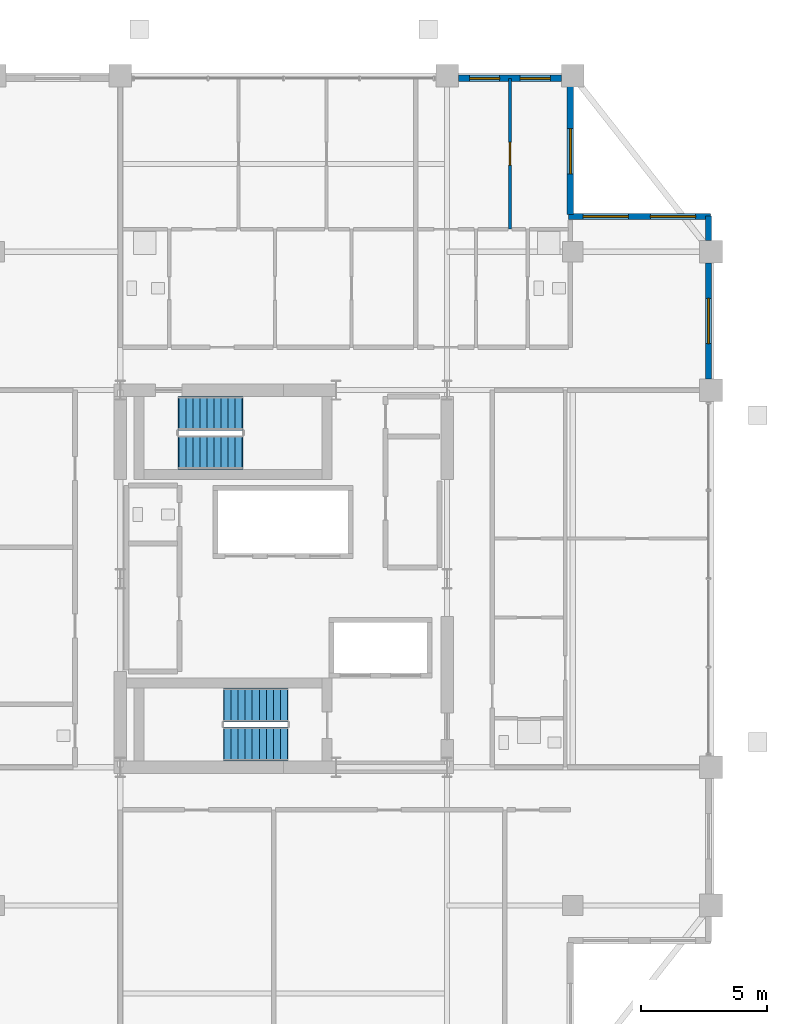
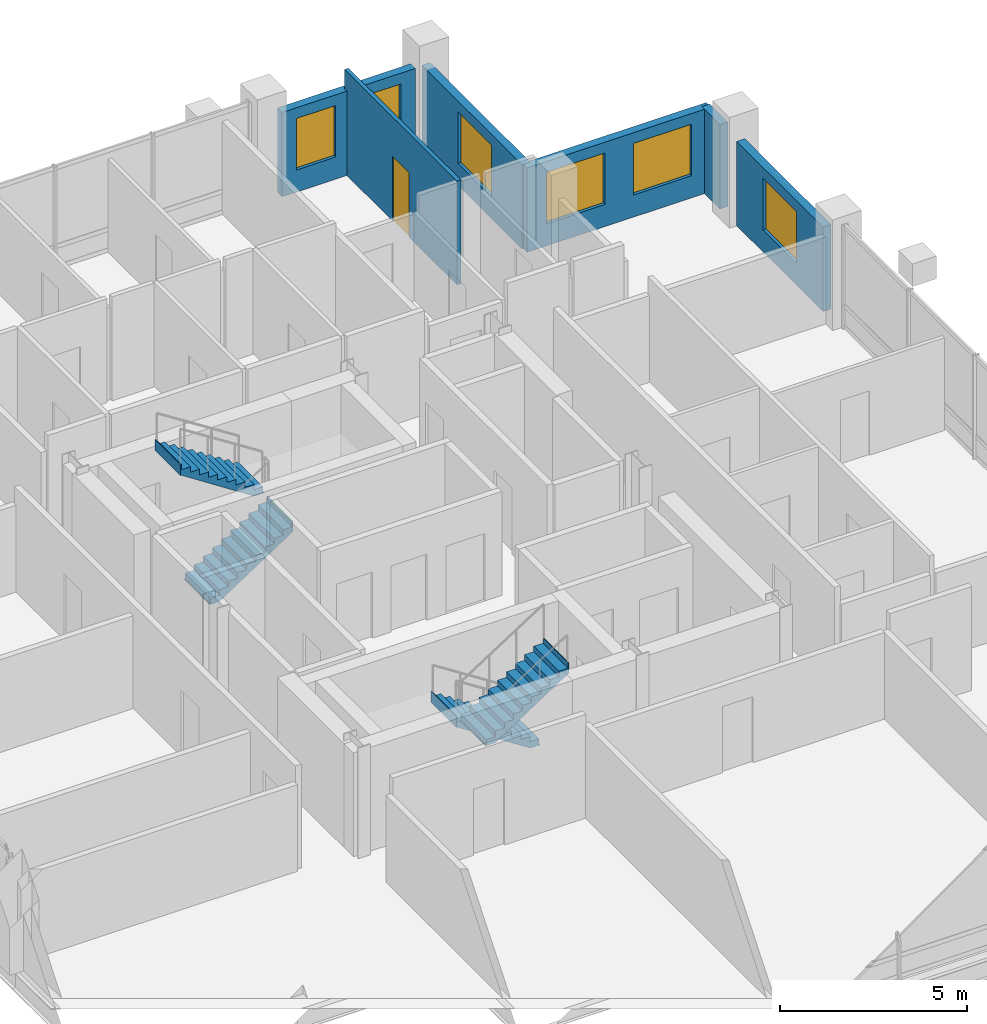
# One storey, part 19 of 21: 6 walls, 6 windows, 4 stair flights, 1 door, 7 openings, 2 elements without a shape of their own.
"""IFC4 building model written with IfcOpenShell, lengths in metres."""

from ifc_helpers import new_model, si_unit, direction, frame, frame_2d, origin, place, context, subcontext, project, spatial, polyline, rectangle, outline, extrude, material, layer, layer_set, type_object, element, fill, aggregate, save


model = new_model("IFC4")

# Units and contexts
model_context = context("Model", 3, precision=1e-05, world=origin(), true_north=direction((0.0, 1.0)))
body_context = subcontext(model_context, "Body", "Model", "MODEL_VIEW")
ifc_project = project(units=[si_unit("LENGTHUNIT", "METRE"), si_unit("AREAUNIT", "SQUARE_METRE"), si_unit("VOLUMEUNIT", "CUBIC_METRE"), si_unit("PLANEANGLEUNIT", "RADIAN"), si_unit("MASSUNIT", "GRAM", prefix="KILO")], contexts=[model_context])

# Site, building, storey
site_placement = place(None, origin())
site = spatial("IfcSite", under=ifc_project, at=site_placement, CompositionType="ELEMENT")
building_placement = place(site_placement, origin())
building = spatial("IfcBuilding", under=site, at=building_placement, Name="Barlavira Tower and Art Museum", CompositionType="ELEMENT")
storey_placement = place(building_placement, frame((0.0, 0.0, 276.300048828125)))
storey = spatial("IfcBuildingStorey", under=building, at=storey_placement, Name="L72", CompositionType="ELEMENT", Elevation=276.300048828125)

# Wall, opening, door
ifc_material_1 = material(Name="Gypsum acoustic stud partition", Category="gypsum")
ifc_layer_1 = layer(ifc_material_1, 0.1201171875, Name="Gypsum acoustic stud partition")
ifc_layer_set_1 = layer_set([ifc_layer_1], Name="Gypsum acoustic stud partition")
wall_type_1 = type_object("IfcWallType", Name="Apartment Internal Acoustic Partition 120", PredefinedType="PARTITIONING", material=ifc_layer_set_1)
wall_1_placement = place(storey_placement, frame((9.0, 13.89990234375, 0.0), z_axis=(0.0, 0.0, 1.0), x_axis=(0.0, 1.0, 0.0)))
wall_1 = element("IfcWall", 1, at=wall_1_placement, inside=storey, type_object=wall_type_1, Name="L72 Partition Wall 18", PredefinedType="PARTITIONING", context=body_context, shape_type="SweptSolid", body=[
    extrude(rectangle(XDim=6.0, YDim=0.1201171875, at=frame_2d((3.0, 0.0))), origin(), (0.0, 0.0, 1.0), 3.3798828125),
])
opening_1_placement = place(wall_1_placement, frame((2.550048828125, 0.0, 0.0)))
opening_1 = element("IfcOpeningElement", 2, at=opening_1_placement, cuts=wall_1, Name="Opening D-01", PredefinedType="OPENING", context=body_context, shape_type="SweptSolid", body=[
    extrude(rectangle(XDim=0.89990234375, YDim=2.10009765625, at=frame_2d((0.449951171875, 1.050048828125))), frame((0.0, 0.070068359375, 0.0), z_axis=(0.0, -1.0, 0.0), x_axis=(1.0, 0.0, 0.0)), (0.0, 0.0, 1.0), 0.14013671875),
])
ifc_material_2 = material(Name="Engineered coastal hardwood", Category="wood")
door_type = type_object("IfcDoorType", Name="Internal Bedroom Timber Flush Door 900x2100", OperationType="NOTDEFINED", PredefinedType="DOOR", material=ifc_material_2)
door_placement = place(opening_1_placement, origin())
door = element("IfcDoor", 3, at=door_placement, inside=storey, type_object=door_type, Name="Apartment N2 Bedroom 1 Door", OperationType="SINGLE_SWING_RIGHT", OverallHeight=2.10009765625, OverallWidth=0.89990234375, PredefinedType="DOOR", context=body_context, shape_type="SweptSolid", body=[
    extrude(rectangle(XDim=0.89990234375, YDim=2.10009765625, at=frame_2d((0.449951171875, 1.050048828125))), frame((0.0, 0.02490234375, 0.0), z_axis=(0.0, -1.0, 0.0), x_axis=(1.0, 0.0, 0.0)), (0.0, 0.0, 1.0), 0.050048828125),
])
fill(opening_1, door)

# Wall, openings, windows
ifc_material_3 = material(Name="Precast concrete C40", Category="concrete")
ifc_layer_2 = layer(ifc_material_3, 0.25, Name="Precast concrete C40")
ifc_layer_set_2 = layer_set([ifc_layer_2], Name="Precast concrete C40")
wall_type_2 = type_object("IfcWallType", Name="Notched Corner Spandrel Wall 250 Precast Concrete C40", PredefinedType="SOLIDWALL", material=ifc_layer_set_2)
wall_2_placement = place(storey_placement, frame((11.054931640625, 19.89990234375, 0.0), z_axis=(0.0, 0.0, 1.0), x_axis=(-1.0, 0.0, 0.0)))
wall_2 = element("IfcWall", 4, at=wall_2_placement, inside=storey, type_object=wall_type_2, Name="L72 Coastal Facade Pier Wall CW4-L72-N-1", PredefinedType="SOLIDWALL", context=body_context, shape_type="SweptSolid", body=[
    extrude(rectangle(XDim=4.10986328125, YDim=0.25, at=frame_2d((2.054931640625, 0.0))), origin(), (0.0, 0.0, 1.0), 2.748046875),
])
opening_2_placement = place(wall_2_placement, frame((0.449951171875, 0.0, 0.719970703125)))
opening_2 = element("IfcOpeningElement", 5, at=opening_2_placement, cuts=wall_2, Name="Opening WN-05", PredefinedType="OPENING", context=body_context, shape_type="SweptSolid", body=[
    extrude(rectangle(XDim=1.199951171875, YDim=1.679931640625, at=frame_2d((0.60009765625, 0.83984375))), frame((0.0, 0.135009765625, 0.0), z_axis=(0.0, -1.0, 0.0), x_axis=(1.0, 0.0, 0.0)), (0.0, 0.0, 1.0), 0.27001953125),
])
opening_3_placement = place(wall_2_placement, frame((2.4599609375, 0.0, 0.719970703125)))
opening_3 = element("IfcOpeningElement", 6, at=opening_3_placement, cuts=wall_2, Name="Opening WN-05", PredefinedType="OPENING", context=body_context, shape_type="SweptSolid", body=[
    extrude(rectangle(XDim=1.199951171875, YDim=1.679931640625, at=frame_2d((0.60009765625, 0.83984375))), frame((0.0, 0.135009765625, 0.0), z_axis=(0.0, -1.0, 0.0), x_axis=(1.0, 0.0, 0.0)), (0.0, 0.0, 1.0), 0.27001953125),
])
ifc_material_4 = material(Name="Low-iron coastal laminated glass", Category="glass")
window_type_1 = type_object("IfcWindowType", Name="Recessed Flank Pier Punch Window 1200x1680", PartitioningType="SINGLE_PANEL", PredefinedType="WINDOW", material=ifc_material_4)
window_1_placement = place(opening_2_placement, origin())
window_1 = element("IfcWindow", 7, at=window_1_placement, inside=storey, type_object=window_type_1, Name="L72 Punched Facade Window EWP-CW4-L72-N-1-1", OverallHeight=1.679931640625, OverallWidth=1.199951171875, PartitioningType="SINGLE_PANEL", PredefinedType="WINDOW", context=body_context, shape_type="SweptSolid", body=[
    extrude(rectangle(XDim=1.199951171875, YDim=1.679931640625, at=frame_2d((0.60009765625, 0.83984375))), frame((0.0, 0.030029296875, 0.0), z_axis=(0.0, -1.0, 0.0), x_axis=(1.0, 0.0, 0.0)), (0.0, 0.0, 1.0), 0.06005859375),
])
fill(opening_2, window_1)
window_2_placement = place(opening_3_placement, origin())
window_2 = element("IfcWindow", 8, at=window_2_placement, inside=storey, type_object=window_type_1, Name="L72 Punched Facade Window EWP-CW4-L72-N-1-2", OverallHeight=1.679931640625, OverallWidth=1.199951171875, PartitioningType="SINGLE_PANEL", PredefinedType="WINDOW", context=body_context, shape_type="SweptSolid", body=[
    extrude(rectangle(XDim=1.199951171875, YDim=1.679931640625, at=frame_2d((0.60009765625, 0.83984375))), frame((0.0, 0.030029296875, 0.0), z_axis=(0.0, -1.0, 0.0), x_axis=(1.0, 0.0, 0.0)), (0.0, 0.0, 1.0), 0.06005859375),
])
fill(opening_3, window_2)

# Wall, opening, window
wall_3_placement = place(storey_placement, frame((16.89990234375, 7.945068359375, 0.0), z_axis=(0.0, 0.0, 1.0), x_axis=(0.0, 1.0, 0.0)))
wall_3 = element("IfcWall", 9, at=wall_3_placement, inside=storey, type_object=wall_type_2, Name="L72 Coastal Facade Pier Wall CW4-L72-E-4", PredefinedType="SOLIDWALL", context=body_context, shape_type="SweptSolid", body=[
    extrude(rectangle(XDim=4.60986328125, YDim=0.25, at=frame_2d((2.304931640625, 0.0))), origin(), (0.0, 0.0, 1.0), 2.748046875),
])
opening_4_placement = place(wall_3_placement, frame((1.405029296875, 0.0, 0.719970703125)))
opening_4 = element("IfcOpeningElement", 10, at=opening_4_placement, cuts=wall_3, Name="Opening WN-01", PredefinedType="OPENING", context=body_context, shape_type="SweptSolid", body=[
    extrude(rectangle(XDim=1.800048828125, YDim=1.679931640625, at=frame_2d((0.89990234375, 0.83984375))), frame((0.0, 0.135009765625, 0.0), z_axis=(0.0, -1.0, 0.0), x_axis=(1.0, 0.0, 0.0)), (0.0, 0.0, 1.0), 0.27001953125),
])
window_type_2 = type_object("IfcWindowType", Name="Recessed Notch Corner Punch Window 1800x1680", PartitioningType="SINGLE_PANEL", PredefinedType="WINDOW", material=ifc_material_4)
window_3_placement = place(opening_4_placement, origin())
window_3 = element("IfcWindow", 11, at=window_3_placement, inside=storey, type_object=window_type_2, Name="L72 Punched Facade Window EWP-CW4-L72-E-4-1", OverallHeight=1.679931640625, OverallWidth=1.800048828125, PartitioningType="SINGLE_PANEL", PredefinedType="WINDOW", context=body_context, shape_type="SweptSolid", body=[
    extrude(rectangle(XDim=1.800048828125, YDim=1.679931640625, at=frame_2d((0.89990234375, 0.83984375))), frame((0.0, 0.030029296875, 0.0), z_axis=(0.0, -1.0, 0.0), x_axis=(1.0, 0.0, 0.0)), (0.0, 0.0, 1.0), 0.06005859375),
])
fill(opening_4, window_3)

# Wall
wall_4_placement = place(storey_placement, frame((16.89990234375, 13.445068359375, 0.0), z_axis=(0.0, 0.0, 1.0), x_axis=(0.0, 1.0, 0.0)))
element("IfcWall", 12, at=wall_4_placement, inside=storey, type_object=wall_type_2, Name="L72 Coastal Facade Pier Wall CW4-L72-E-5", PredefinedType="SOLIDWALL", context=body_context, shape_type="SweptSolid", body=[
    extrude(rectangle(XDim=0.97998046875, YDim=0.25, at=frame_2d((0.489990234375, 0.0))), origin(), (0.0, 0.0, 1.0), 2.748046875),
])

# Wall, openings, windows
wall_5_placement = place(storey_placement, frame((16.97998046875, 14.39990234375, 0.0), z_axis=(0.0, 0.0, 1.0), x_axis=(-1.0, 0.0, 0.0)))
wall_5 = element("IfcWall", 13, at=wall_5_placement, inside=storey, type_object=wall_type_2, Name="L72 Notch Corner Wall NE1", PredefinedType="SOLIDWALL", context=body_context, shape_type="SweptSolid", body=[
    extrude(rectangle(XDim=5.659912109375, YDim=0.25, at=frame_2d((2.830078125, 0.0))), origin(), (0.0, 0.0, 1.0), 2.748046875),
])
opening_5_placement = place(wall_5_placement, frame((0.594970703125, 0.0, 0.719970703125)))
opening_5 = element("IfcOpeningElement", 14, at=opening_5_placement, cuts=wall_5, Name="Opening WN-01", PredefinedType="OPENING", context=body_context, shape_type="SweptSolid", body=[
    extrude(rectangle(XDim=1.800048828125, YDim=1.679931640625, at=frame_2d((0.89990234375, 0.83984375))), frame((0.0, 0.135009765625, 0.0), z_axis=(0.0, -1.0, 0.0), x_axis=(1.0, 0.0, 0.0)), (0.0, 0.0, 1.0), 0.27001953125),
])
opening_6_placement = place(wall_5_placement, frame((3.264892578125, 0.0, 0.719970703125)))
opening_6 = element("IfcOpeningElement", 15, at=opening_6_placement, cuts=wall_5, Name="Opening WN-01", PredefinedType="OPENING", context=body_context, shape_type="SweptSolid", body=[
    extrude(rectangle(XDim=1.800048828125, YDim=1.679931640625, at=frame_2d((0.89990234375, 0.83984375))), frame((0.0, 0.135009765625, 0.0), z_axis=(0.0, -1.0, 0.0), x_axis=(1.0, 0.0, 0.0)), (0.0, 0.0, 1.0), 0.27001953125),
])
window_4_placement = place(opening_5_placement, origin())
window_4 = element("IfcWindow", 16, at=window_4_placement, inside=storey, type_object=window_type_2, Name="L72 Punched Facade Window EW-NTC-L72-NE1-1", OverallHeight=1.679931640625, OverallWidth=1.800048828125, PartitioningType="SINGLE_PANEL", PredefinedType="WINDOW", context=body_context, shape_type="SweptSolid", body=[
    extrude(rectangle(XDim=1.800048828125, YDim=1.679931640625, at=frame_2d((0.89990234375, 0.83984375))), frame((0.0, 0.030029296875, 0.0), z_axis=(0.0, -1.0, 0.0), x_axis=(1.0, 0.0, 0.0)), (0.0, 0.0, 1.0), 0.06005859375),
])
fill(opening_5, window_4)
window_5_placement = place(opening_6_placement, origin())
window_5 = element("IfcWindow", 17, at=window_5_placement, inside=storey, type_object=window_type_2, Name="L72 Punched Facade Window EW-NTC-L72-NE1-2", OverallHeight=1.679931640625, OverallWidth=1.800048828125, PartitioningType="SINGLE_PANEL", PredefinedType="WINDOW", context=body_context, shape_type="SweptSolid", body=[
    extrude(rectangle(XDim=1.800048828125, YDim=1.679931640625, at=frame_2d((0.89990234375, 0.83984375))), frame((0.0, 0.030029296875, 0.0), z_axis=(0.0, -1.0, 0.0), x_axis=(1.0, 0.0, 0.0)), (0.0, 0.0, 1.0), 0.06005859375),
])
fill(opening_6, window_5)

# Wall, opening, window
wall_6_placement = place(storey_placement, frame((11.39990234375, 14.47998046875, 0.0), z_axis=(0.0, 0.0, 1.0), x_axis=(0.0, 1.0, 0.0)))
wall_6 = element("IfcWall", 18, at=wall_6_placement, inside=storey, type_object=wall_type_2, Name="L72 Notch Corner Wall NE2", PredefinedType="SOLIDWALL", context=body_context, shape_type="SweptSolid", body=[
    extrude(rectangle(XDim=5.340087890625, YDim=0.25, at=frame_2d((2.669921875, 0.0))), origin(), (0.0, 0.0, 1.0), 2.748046875),
])
opening_7_placement = place(wall_6_placement, frame((1.614990234375, 0.0, 0.719970703125)))
opening_7 = element("IfcOpeningElement", 19, at=opening_7_placement, cuts=wall_6, Name="Opening WN-01", PredefinedType="OPENING", context=body_context, shape_type="SweptSolid", body=[
    extrude(rectangle(XDim=1.800048828125, YDim=1.679931640625, at=frame_2d((0.89990234375, 0.83984375))), frame((0.0, 0.135009765625, 0.0), z_axis=(0.0, -1.0, 0.0), x_axis=(1.0, 0.0, 0.0)), (0.0, 0.0, 1.0), 0.27001953125),
])
window_6_placement = place(opening_7_placement, origin())
window_6 = element("IfcWindow", 20, at=window_6_placement, inside=storey, type_object=window_type_2, Name="L72 Punched Facade Window EW-NTC-L72-NE2-1", OverallHeight=1.679931640625, OverallWidth=1.800048828125, PartitioningType="SINGLE_PANEL", PredefinedType="WINDOW", context=body_context, shape_type="SweptSolid", body=[
    extrude(rectangle(XDim=1.800048828125, YDim=1.679931640625, at=frame_2d((0.89990234375, 0.83984375))), frame((0.0, 0.030029296875, 0.0), z_axis=(0.0, -1.0, 0.0), x_axis=(1.0, 0.0, 0.0)), (0.0, 0.0, 1.0), 0.06005859375),
])
fill(opening_7, window_6)

# Stair, stair flights
ifc_material_5 = material(Name="Concrete C45", Category="concrete")
stair_type_1 = type_object("IfcStairType", Name="Tower North Dog-Leg Exit Stair Assembly Concrete C45", PredefinedType="TWO_QUARTER_TURN_STAIR", material=ifc_material_5)
stair_1_placement = place(storey_placement, origin())
stair_1 = element("IfcStair", 21, at=stair_1_placement, inside=storey, type_object=stair_type_1, Name="L72 Tower North Exit Stair ST-T2", PredefinedType="TWO_QUARTER_TURN_STAIR")
ifc_material_6 = material(Name="Precast concrete C45", Category="concrete")
stair_flight_type_1 = type_object("IfcStairFlightType", Name="Tower North Dog-Leg Exit Stair Precast Flight 1350 Concrete C45", PredefinedType="STRAIGHT", material=ifc_material_6)
stair_flight_1_placement = place(storey_placement, frame((-4.169921875, 5.02490234375, 0.0), z_axis=(0.0, 0.0, 1.0), x_axis=(1.0, 0.0, 0.0)))
stair_flight_1 = element("IfcStairFlight", 22, at=stair_flight_1_placement, type_object=stair_flight_type_1, Name="ST-T2 flight 1", NumberOfRisers=10, NumberOfTreads=9, PredefinedType="STRAIGHT", RiserHeight=0.18, TreadLength=0.28, context=body_context, shape_type="SweptSolid", body=[
    extrude(outline(polyline([(-0.02490234375, 0.0), (0.0, 0.0), (0.0, 0.179931640625), (0.280029296875, 0.179931640625), (0.280029296875, 0.360107421875), (0.56005859375, 0.360107421875), (0.56005859375, 0.5400390625), (0.840087890625, 0.5400390625), (0.840087890625, 0.719970703125), (1.1201171875, 0.719970703125), (1.1201171875, 0.89990234375), (1.39990234375, 0.89990234375), (1.39990234375, 1.080078125), (1.679931640625, 1.080078125), (1.679931640625, 1.260009765625), (1.9599609375, 1.260009765625), (1.9599609375, 1.43994140625), (2.239990234375, 1.43994140625), (2.239990234375, 1.6201171875), (2.52001953125, 1.6201171875), (2.52001953125, 1.800048828125), (2.544921875, 1.800048828125), (2.544921875, 1.44189453125), (2.52001953125, 1.44189453125), (0.277099609375, -0.02490234375), (-0.02490234375, -0.02490234375), (-0.02490234375, 0.0)])), frame((0.0, 0.675048828125, 0.0), z_axis=(0.0, -1.0, 0.0), x_axis=(1.0, 0.0, 0.0)), (0.0, 0.0, 1.0), 1.35009765625),
])
stair_flight_2_placement = place(storey_placement, frame((-1.64990234375, 6.574951171875, 1.800048828125), z_axis=(0.0, 0.0, 1.0), x_axis=(-1.0, 0.0, 0.0)))
stair_flight_2 = element("IfcStairFlight", 23, at=stair_flight_2_placement, type_object=stair_flight_type_1, Name="ST-T2 flight 2", NumberOfRisers=10, NumberOfTreads=9, PredefinedType="STRAIGHT", RiserHeight=0.18, TreadLength=0.28, context=body_context, shape_type="SweptSolid", body=[
    extrude(outline(polyline([(-0.02490234375, 0.0), (0.0, 0.0), (0.0, 0.179931640625), (0.280029296875, 0.179931640625), (0.280029296875, 0.360107421875), (0.56005859375, 0.360107421875), (0.56005859375, 0.5400390625), (0.840087890625, 0.5400390625), (0.840087890625, 0.719970703125), (1.1201171875, 0.719970703125), (1.1201171875, 0.89990234375), (1.39990234375, 0.89990234375), (1.39990234375, 1.080078125), (1.679931640625, 1.080078125), (1.679931640625, 1.260009765625), (1.9599609375, 1.260009765625), (1.9599609375, 1.43994140625), (2.239990234375, 1.43994140625), (2.239990234375, 1.6201171875), (2.52001953125, 1.6201171875), (2.52001953125, 1.800048828125), (2.544921875, 1.800048828125), (2.544921875, 1.44189453125), (2.52001953125, 1.44189453125), (0.277099609375, -0.02490234375), (-0.02490234375, -0.02490234375), (-0.02490234375, 0.0)])), frame((0.0, 0.675048828125, 0.0), z_axis=(0.0, -1.0, 0.0), x_axis=(1.0, 0.0, 0.0)), (0.0, 0.0, 1.0), 1.35009765625),
])
aggregate(stair_1, [stair_flight_1, stair_flight_2])

stair_type_2 = type_object("IfcStairType", Name="Tower South Dog-Leg Exit Stair Assembly Concrete C45", PredefinedType="TWO_QUARTER_TURN_STAIR", material=ifc_material_5)
stair_2_placement = place(storey_placement, origin())
stair_2 = element("IfcStair", 24, at=stair_2_placement, inside=storey, type_object=stair_type_2, Name="L72 Tower South Exit Stair ST-T1", PredefinedType="TWO_QUARTER_TURN_STAIR")
stair_flight_type_2 = type_object("IfcStairFlightType", Name="Tower South Dog-Leg Exit Stair Precast Flight 1350 Concrete C45", PredefinedType="STRAIGHT", material=ifc_material_6)
stair_flight_3_placement = place(storey_placement, frame((0.14990234375, -5.02490234375, 0.0), z_axis=(0.0, 0.0, 1.0), x_axis=(-1.0, 0.0, 0.0)))
stair_flight_3 = element("IfcStairFlight", 25, at=stair_flight_3_placement, type_object=stair_flight_type_2, Name="ST-T1 flight 1", NumberOfRisers=10, NumberOfTreads=9, PredefinedType="STRAIGHT", RiserHeight=0.18, TreadLength=0.28, context=body_context, shape_type="SweptSolid", body=[
    extrude(outline(polyline([(-0.02490234375, 0.0), (0.0, 0.0), (0.0, 0.179931640625), (0.280029296875, 0.179931640625), (0.280029296875, 0.360107421875), (0.56005859375, 0.360107421875), (0.56005859375, 0.5400390625), (0.840087890625, 0.5400390625), (0.840087890625, 0.719970703125), (1.1201171875, 0.719970703125), (1.1201171875, 0.89990234375), (1.39990234375, 0.89990234375), (1.39990234375, 1.080078125), (1.679931640625, 1.080078125), (1.679931640625, 1.260009765625), (1.9599609375, 1.260009765625), (1.9599609375, 1.43994140625), (2.239990234375, 1.43994140625), (2.239990234375, 1.6201171875), (2.52001953125, 1.6201171875), (2.52001953125, 1.800048828125), (2.544921875, 1.800048828125), (2.544921875, 1.44189453125), (2.52001953125, 1.44189453125), (0.277099609375, -0.02490234375), (-0.02490234375, -0.02490234375), (-0.02490234375, 0.0)])), frame((0.0, 0.675048828125, 0.0), z_axis=(0.0, -1.0, 0.0), x_axis=(1.0, 0.0, 0.0)), (0.0, 0.0, 1.0), 1.35009765625),
])
stair_flight_4_placement = place(storey_placement, frame((-2.3701171875, -6.574951171875, 1.800048828125), z_axis=(0.0, 0.0, 1.0), x_axis=(1.0, 0.0, 0.0)))
stair_flight_4 = element("IfcStairFlight", 26, at=stair_flight_4_placement, type_object=stair_flight_type_2, Name="ST-T1 flight 2", NumberOfRisers=10, NumberOfTreads=9, PredefinedType="STRAIGHT", RiserHeight=0.18, TreadLength=0.28, context=body_context, shape_type="SweptSolid", body=[
    extrude(outline(polyline([(-0.02490234375, 0.0), (0.0, 0.0), (0.0, 0.179931640625), (0.280029296875, 0.179931640625), (0.280029296875, 0.360107421875), (0.56005859375, 0.360107421875), (0.56005859375, 0.5400390625), (0.840087890625, 0.5400390625), (0.840087890625, 0.719970703125), (1.1201171875, 0.719970703125), (1.1201171875, 0.89990234375), (1.39990234375, 0.89990234375), (1.39990234375, 1.080078125), (1.679931640625, 1.080078125), (1.679931640625, 1.260009765625), (1.9599609375, 1.260009765625), (1.9599609375, 1.43994140625), (2.239990234375, 1.43994140625), (2.239990234375, 1.6201171875), (2.52001953125, 1.6201171875), (2.52001953125, 1.800048828125), (2.544921875, 1.800048828125), (2.544921875, 1.44189453125), (2.52001953125, 1.44189453125), (0.277099609375, -0.02490234375), (-0.02490234375, -0.02490234375), (-0.02490234375, 0.0)])), frame((0.0, 0.675048828125, 0.0), z_axis=(0.0, -1.0, 0.0), x_axis=(1.0, 0.0, 0.0)), (0.0, 0.0, 1.0), 1.35009765625),
])
aggregate(stair_2, [stair_flight_3, stair_flight_4])

save(model, "model.ifc")
